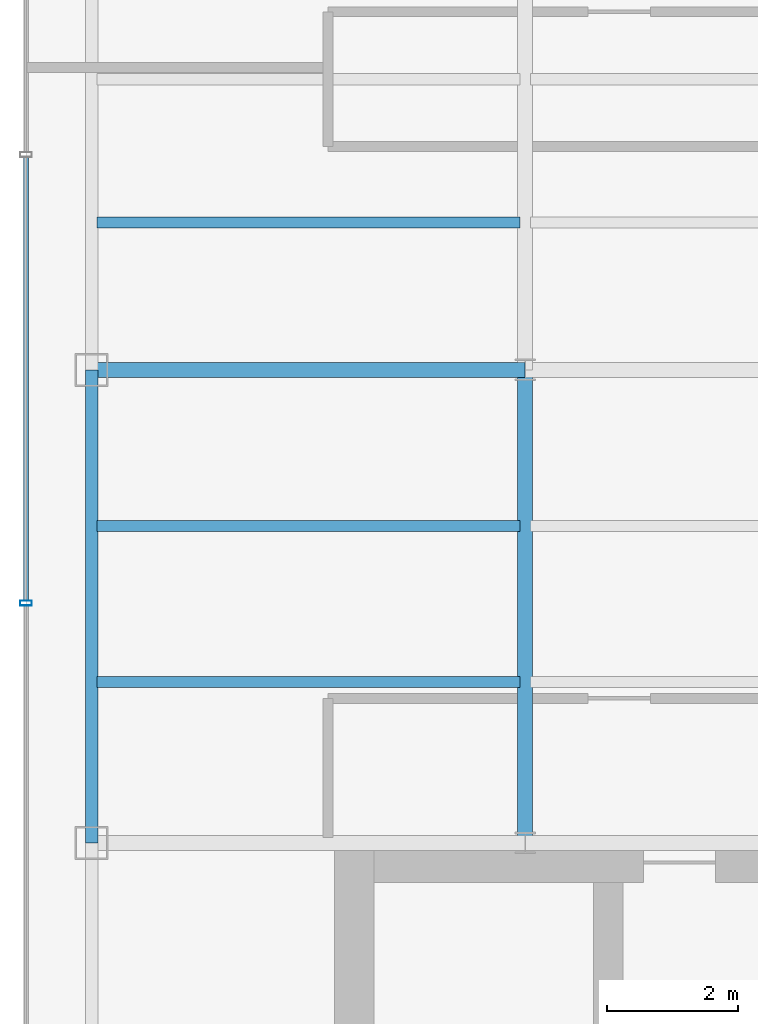
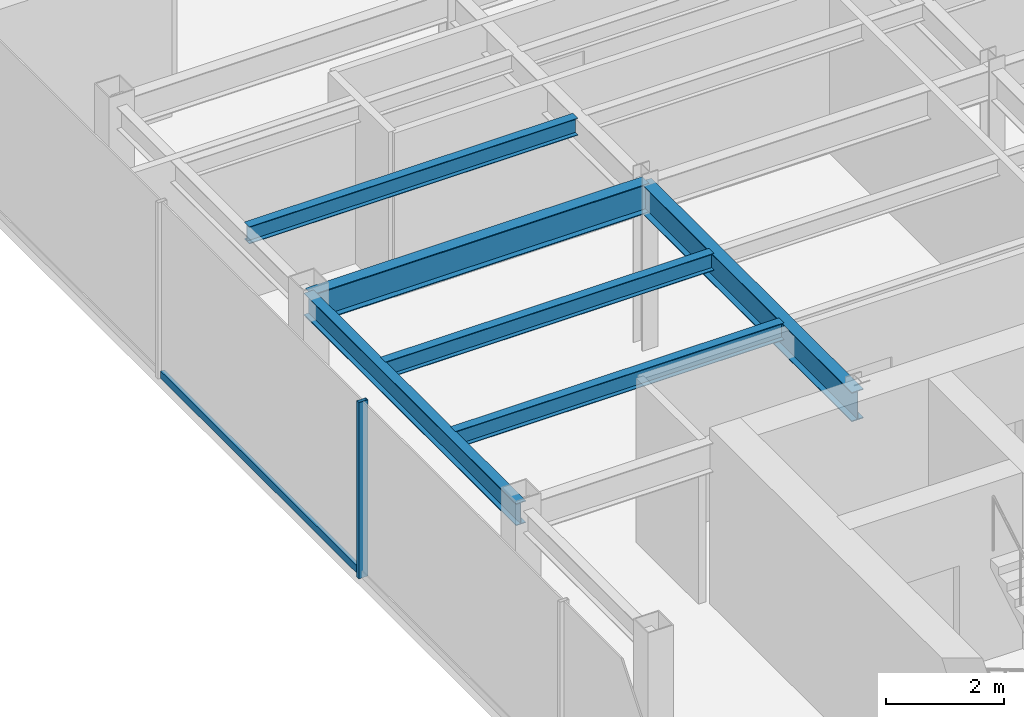
# One storey, part 5 of 22: 6 beams, 2 members, 1 element without a shape of its own.
"""IFC4 building model written with IfcOpenShell, lengths in metres."""

from ifc_helpers import new_model, si_unit, derived_unit, direction, frame, origin, origin_2d, place, context, subcontext, project, spatial, hollow_rectangle, i_section, extrude, source, transform, mapped, material, material_profile, profile_set, type_object, element, aggregate, save


model = new_model("IFC4")

# Units and contexts
model_context = context("Model", 3, precision=1e-05, world=origin(), true_north=direction((0.0, 1.0)))
body_context = subcontext(model_context, "Body", "Model", "MODEL_VIEW")
ifc_project = project(units=[si_unit("LENGTHUNIT", "METRE"), si_unit("AREAUNIT", "SQUARE_METRE"), si_unit("VOLUMEUNIT", "CUBIC_METRE"), si_unit("PLANEANGLEUNIT", "RADIAN"), si_unit("MASSUNIT", "GRAM", prefix="KILO"), derived_unit("THERMALTRANSMITTANCEUNIT", [(si_unit("POWERUNIT", "WATT"), 1), (si_unit("LENGTHUNIT", "METRE"), -2), (si_unit("THERMODYNAMICTEMPERATUREUNIT", "KELVIN"), -1)])], contexts=[model_context])

# Site, building, storey
site_placement = place(None, origin())
site = spatial("IfcSite", under=ifc_project, at=site_placement, CompositionType="ELEMENT")
building_placement = place(site_placement, origin())
building = spatial("IfcBuilding", under=site, at=building_placement, Name="Skarnbrae Concourse Arena and Tower", CompositionType="ELEMENT")
storey_placement = place(building_placement, frame((0.0, 0.0, 221.449951171875)))
storey = spatial("IfcBuildingStorey", under=building, at=storey_placement, Name="L57", CompositionType="ELEMENT", Elevation=221.449951171875)

# Beams
ifc_material_1 = material(Name="Steel CSA G40.21 350W", Category="steel")
ifc_material_profile_1 = material_profile(ifc_material_1, i_section(OverallWidth=0.22802734375, OverallDepth=0.60791015625, WebThickness=0.01123046875, FlangeThickness=0.017333984375, at=origin_2d()), Name="W610X113")
ifc_profile_set_1 = profile_set([ifc_material_profile_1], Name="Steel CSA G40.21 350W")
beam_type_1 = type_object("IfcBeamType", Name="BM-GIRD-W610X113", PredefinedType="BEAM", material=ifc_profile_set_1)
shared_shape_1 = source(origin(), body_context, "Body", "SweptSolid", [
    extrude(i_section(OverallWidth=0.22802734375, OverallDepth=0.60791015625, WebThickness=0.01123046875, FlangeThickness=0.017333984375, at=origin_2d()), origin(), (0.0, 0.0, 1.0), 6.60009765625),
])
beam_1_placement = place(storey_placement, frame((1.0, 21.199951171875, 3.095947265625), z_axis=(1.0, 0.0, 0.0), x_axis=(0.0, 1.0, 0.0)))
element("IfcBeam", 1, at=beam_1_placement, inside=storey, type_object=beam_type_1, Name="L57 Primary E-W girder Y21.2-1", PredefinedType="BEAM", context=body_context, shape_type="MappedRepresentation", body=[
    mapped(shared_shape_1, transform((0.0, 0.0, 0.0))),
])
ifc_material_profile_2 = material_profile(ifc_material_1, i_section(OverallWidth=0.19091796875, OverallDepth=0.4599609375, WebThickness=0.010009765625, FlangeThickness=0.01611328125, at=origin_2d()), Name="W460X82")
ifc_profile_set_2 = profile_set([ifc_material_profile_2], Name="Steel CSA G40.21 350W")
beam_type_2 = type_object("IfcBeamType", Name="BM-SPAN-W460X82", PredefinedType="SPANDREL", material=ifc_profile_set_2)
shared_shape_2 = source(origin(), body_context, "Body", "SweptSolid", [
    extrude(i_section(OverallWidth=0.19091796875, OverallDepth=0.4599609375, WebThickness=0.010009765625, FlangeThickness=0.01611328125, at=origin_2d()), origin(), (0.0, 0.0, 1.0), 7.199951171875),
])
beam_2_placement = place(storey_placement, frame((1.0, 14.0, 3.170166015625), z_axis=(0.0, 1.0, 0.0), x_axis=(-1.0, 0.0, 0.0)))
element("IfcBeam", 2, at=beam_2_placement, inside=storey, type_object=beam_type_2, Name="L57 Perimeter spandrel X1.0-2", PredefinedType="SPANDREL", context=body_context, shape_type="MappedRepresentation", body=[
    mapped(shared_shape_2, transform((0.0, 0.0, 0.0))),
])
shared_shape_3 = source(origin(), body_context, "Body", "SweptSolid", [
    extrude(i_section(OverallWidth=0.22802734375, OverallDepth=0.60791015625, WebThickness=0.01123046875, FlangeThickness=0.017333984375, at=origin_2d()), origin(), (0.0, 0.0, 1.0), 7.199951171875),
])
beam_3_placement = place(storey_placement, frame((7.60009765625, 14.0, 3.095947265625), z_axis=(0.0, 1.0, 0.0), x_axis=(-1.0, 0.0, 0.0)))
element("IfcBeam", 3, at=beam_3_placement, inside=storey, type_object=beam_type_1, Name="L57 Primary N-S girder X7.6-1", PredefinedType="BEAM", context=body_context, shape_type="MappedRepresentation", body=[
    mapped(shared_shape_3, transform((0.0, 0.0, 0.0))),
])
ifc_material_profile_3 = material_profile(ifc_material_1, i_section(OverallWidth=0.1708984375, OverallDepth=0.35498046875, WebThickness=0.007080078125, FlangeThickness=0.01171875, at=origin_2d()), Name="W360X51")
ifc_profile_set_3 = profile_set([ifc_material_profile_3], Name="Steel CSA G40.21 350W")
beam_type_3 = type_object("IfcBeamType", Name="BM-JOIST-W360X51", PredefinedType="JOIST", material=ifc_profile_set_3)
shared_shape_4 = source(origin(), body_context, "Body", "SweptSolid", [
    extrude(i_section(OverallWidth=0.1708984375, OverallDepth=0.35498046875, WebThickness=0.007080078125, FlangeThickness=0.01171875, at=origin_2d()), origin(), (0.0, 0.0, 1.0), 6.43994140625),
])
for number, where, z_axis, x_axis, name in (
    (4, (1.080078125, 16.447998046875, 3.22265625), (1.0, 0.0, 0.0), (0.0, 1.0, 0.0), "L57 Secondary floor joist 1.1.1"),
    (5, (1.080078125, 18.823974609375, 3.22265625), (1.0, 0.0, 0.0), (0.0, 1.0, 0.0), "L57 Secondary floor joist 1.2.1"),
    (6, (1.080078125, 23.444091796875, 3.22265625), (1.0, 0.0, 0.0), (0.0, 1.0, 0.0), "L57 Secondary floor joist 2.1.1"),
):
    element("IfcBeam", number, at=place(storey_placement, frame(where, z_axis=z_axis, x_axis=x_axis)), inside=storey, type_object=beam_type_3, Name=name, PredefinedType="JOIST", context=body_context, shape_type="MappedRepresentation", body=[
        mapped(shared_shape_4, transform((0.0, 0.0, 0.0))),
    ])

# Curtain wall, members
ifc_material_2 = material(Name="Bronze anodised aluminium 6063-T6", Category="aluminium")
curtain_wall_type = type_object("IfcCurtainWallType", Name="CW-SYS-05-HIGHZONE", PredefinedType="USERDEFINED", material=ifc_material_2)
curtain_wall_placement = place(storey_placement, origin())
curtain_wall = element("IfcCurtainWall", 7, at=curtain_wall_placement, inside=storey, type_object=curtain_wall_type, Name="L57 Unitised curtain wall CW-L57-E18", ObjectType="UNITISED CURTAIN WALL", PredefinedType="USERDEFINED")
ifc_material_profile_4 = material_profile(ifc_material_2, hollow_rectangle(XDim=0.074951171875, YDim=0.14990234375, WallThickness=0.00390625, at=origin_2d()), Name="ALU-TRAN-75X150")
ifc_profile_set_4 = profile_set([ifc_material_profile_4], Name="Bronze anodised aluminium 6063-T6")
member_type_1 = type_object("IfcMemberType", Name="CWT-CW-05", PredefinedType="USERDEFINED", material=ifc_profile_set_4)
shared_shape_5 = source(origin(), body_context, "Body", "SweptSolid", [
    extrude(hollow_rectangle(XDim=0.074951171875, YDim=0.14990234375, WallThickness=0.00390625, at=origin_2d()), origin(), (0.0, 0.0, 1.0), 6.75),
])
member_1_placement = place(storey_placement, frame((0.0, 24.4375, 0.074951171875), z_axis=(0.0, -1.0, 0.0), x_axis=(1.0, 0.0, 0.0)))
member_1 = element("IfcMember", 8, at=member_1_placement, type_object=member_type_1, Name="CW-L57-E18 Transom 2", ObjectType="TRANSOM", PredefinedType="USERDEFINED", context=body_context, shape_type="MappedRepresentation", body=[
    mapped(shared_shape_5, transform((0.0, 0.0, 0.0))),
])
ifc_material_profile_5 = material_profile(ifc_material_2, hollow_rectangle(XDim=0.074951171875, YDim=0.179931640625, WallThickness=0.00390625, at=origin_2d()), Name="ALU-MULL-75X180")
ifc_profile_set_5 = profile_set([ifc_material_profile_5], Name="Bronze anodised aluminium 6063-T6")
member_type_2 = type_object("IfcMemberType", Name="CWM-CW-05", PredefinedType="MULLION", material=ifc_profile_set_5)
shared_shape_6 = source(origin(), body_context, "Body", "SweptSolid", [
    extrude(hollow_rectangle(XDim=0.074951171875, YDim=0.179931640625, WallThickness=0.00390625, at=origin_2d()), origin(), (0.0, 0.0, 1.0), 3.650146484375),
])
member_2_placement = place(storey_placement, frame((0.0, 17.64990234375, 0.0), z_axis=(0.0, 0.0, 1.0), x_axis=(0.0, -1.0, 0.0)))
member_2 = element("IfcMember", 9, at=member_2_placement, type_object=member_type_2, Name="CW-L57-E18 Mullion 3", PredefinedType="MULLION", context=body_context, shape_type="MappedRepresentation", body=[
    mapped(shared_shape_6, transform((0.0, 0.0, 0.0))),
])
aggregate(curtain_wall, [member_2, member_1])

save(model, "model.ifc")
